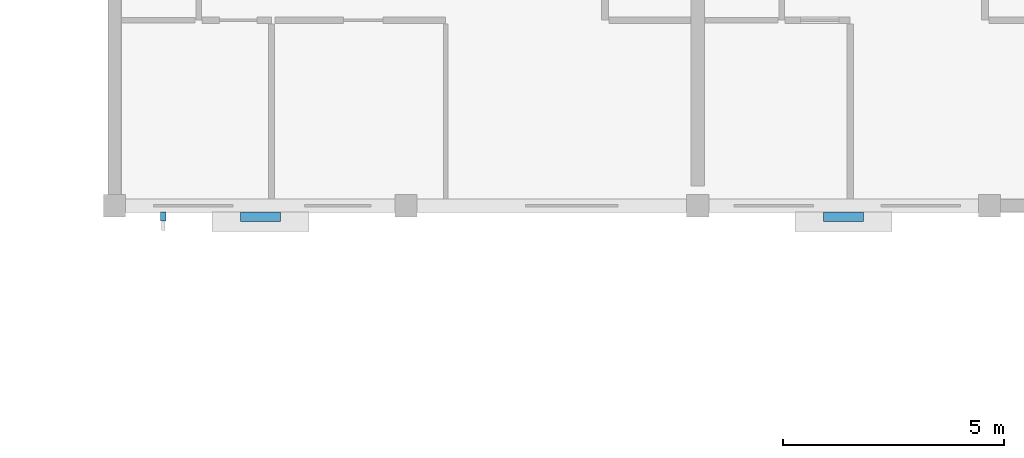
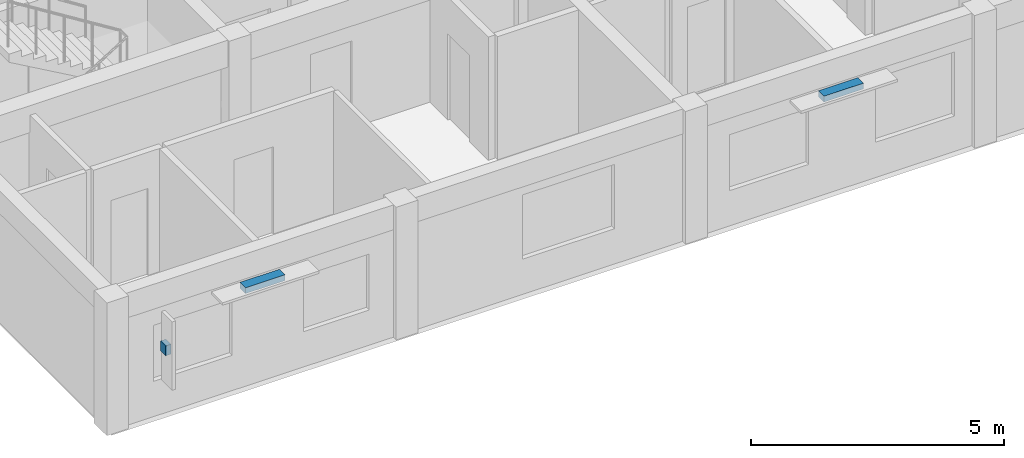
# One storey, part 43 of 49: 3 discrete accessories.
"""IFC4 building model written with IfcOpenShell, lengths in metres."""

from ifc_helpers import new_model, si_unit, direction, frame, origin, origin_2d, place, context, subcontext, project, spatial, rectangle, extrude, material, type_object, element, save


model = new_model("IFC4")

# Units and contexts
model_context = context("Model", 3, precision=1e-05, world=origin(), true_north=direction((0.0, 1.0)))
body_context = subcontext(model_context, "Body", "Model", "MODEL_VIEW")
ifc_project = project(units=[si_unit("LENGTHUNIT", "METRE"), si_unit("AREAUNIT", "SQUARE_METRE"), si_unit("VOLUMEUNIT", "CUBIC_METRE"), si_unit("PLANEANGLEUNIT", "RADIAN"), si_unit("MASSUNIT", "GRAM", prefix="KILO")], contexts=[model_context])

# Site, building, storey
site_placement = place(None, origin())
site = spatial("IfcSite", under=ifc_project, at=site_placement, CompositionType="ELEMENT")
building_placement = place(site_placement, origin())
building = spatial("IfcBuilding", under=site, at=building_placement, Name="Kernevlak Ridge Housing Community", CompositionType="ELEMENT")
storey_placement = place(building_placement, frame((0.0, 0.0, 30.800048828125)))
storey = spatial("IfcBuildingStorey", under=building, at=storey_placement, Name="L09", CompositionType="ELEMENT", Elevation=30.800048828125)

# Discrete accessories
ifc_material = material(Name="Steel S355 galvanised", Category="steel")
discrete_accessory_type = type_object("IfcDiscreteAccessoryType", Name="BK-01", PredefinedType="BRACKET", material=ifc_material)
discrete_accessory_1_placement = place(storey_placement, frame((122.699951171875, 82.35009765625, 2.41015625), z_axis=(0.0, 0.0, 1.0), x_axis=(1.0, 0.0, 0.0)))
element("IfcDiscreteAccessory", 1, at=discrete_accessory_1_placement, inside=storey, type_object=discrete_accessory_type, Name="Sunshade steel bracket 23", PredefinedType="BRACKET", context=body_context, shape_type="SweptSolid", body=[
    extrude(rectangle(XDim=0.89990234375, YDim=0.219970703125, at=origin_2d()), origin(), (0.0, 0.0, 1.0), 0.139892578125),
])
discrete_accessory_2_placement = place(storey_placement, frame((120.5, 82.360107421875, 1.52978515625), z_axis=(0.0, 0.0, 1.0), x_axis=(1.0, 0.0, 0.0)))
element("IfcDiscreteAccessory", 2, at=discrete_accessory_2_placement, inside=storey, type_object=discrete_accessory_type, Name="Vertical fin fixing bracket 23", PredefinedType="BRACKET", context=body_context, shape_type="SweptSolid", body=[
    extrude(rectangle(XDim=0.1201171875, YDim=0.199951171875, at=origin_2d()), origin(), (0.0, 0.0, 1.0), 0.239990234375),
])
discrete_accessory_3_placement = place(storey_placement, frame((135.89990234375, 82.35009765625, 2.41015625), z_axis=(0.0, 0.0, 1.0), x_axis=(1.0, 0.0, 0.0)))
element("IfcDiscreteAccessory", 3, at=discrete_accessory_3_placement, inside=storey, type_object=discrete_accessory_type, Name="Sunshade steel bracket 24", PredefinedType="BRACKET", context=body_context, shape_type="SweptSolid", body=[
    extrude(rectangle(XDim=0.89990234375, YDim=0.219970703125, at=origin_2d()), origin(), (0.0, 0.0, 1.0), 0.139892578125),
])

save(model, "model.ifc")
